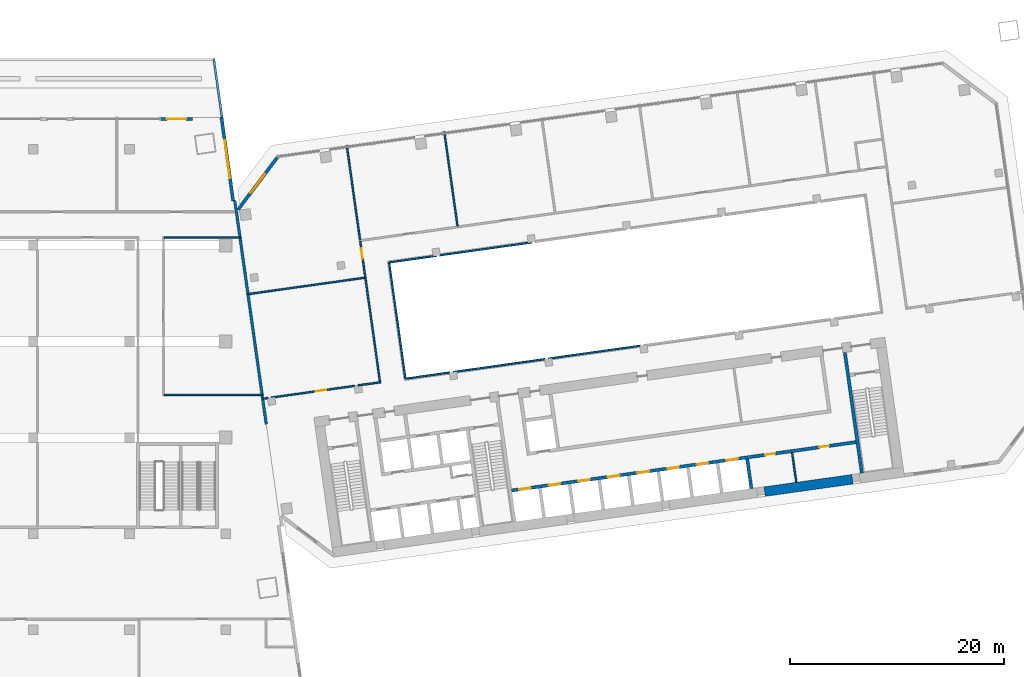
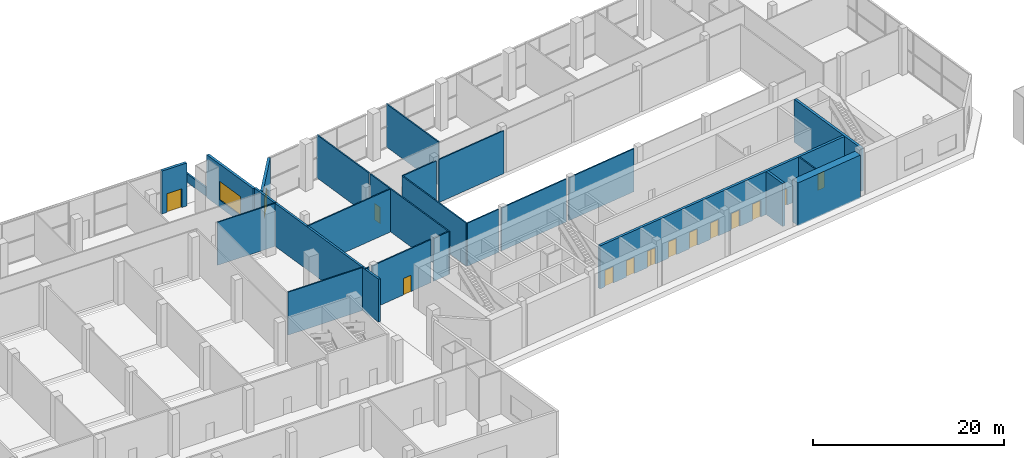
# One storey, part 17 of 24: 25 walls, 13 doors, 2 windows, 15 openings.
"""IFC4 building model written with IfcOpenShell, lengths in metres."""

from ifc_helpers import new_model, si_unit, direction, frame, frame_2d, origin, place, context, subcontext, project, spatial, rectangle, extrude, material, layer, layer_set, type_object, element, fill, save


model = new_model("IFC4")

# Units and contexts
model_context = context("Model", 3, precision=1e-05, world=origin(), true_north=direction((0.0, 1.0)))
body_context = subcontext(model_context, "Body", "Model", "MODEL_VIEW")
ifc_project = project(units=[si_unit("LENGTHUNIT", "METRE"), si_unit("AREAUNIT", "SQUARE_METRE"), si_unit("VOLUMEUNIT", "CUBIC_METRE"), si_unit("PLANEANGLEUNIT", "RADIAN"), si_unit("MASSUNIT", "GRAM", prefix="KILO")], contexts=[model_context])

# Site, building, storey
site_placement = place(None, origin())
site = spatial("IfcSite", under=ifc_project, at=site_placement, CompositionType="ELEMENT")
building_placement = place(site_placement, origin())
building = spatial("IfcBuilding", under=site, at=building_placement, Name="Mirante Cascada Hotel Towers", CompositionType="ELEMENT")
storey_placement = place(building_placement, frame((0.0, 0.0, 17.5)))
storey = spatial("IfcBuildingStorey", under=building, at=storey_placement, Name="L02", CompositionType="ELEMENT", Elevation=17.5)

# Walls
ifc_material_1 = material(Name="Masonry block", Category="masonry")
ifc_layer_1 = layer(ifc_material_1, 0.15)
ifc_layer_set_1 = layer_set([ifc_layer_1], Name="Core room partition 150 block EI 30")
wall_type_1 = type_object("IfcWallType", Name="Core room partition 150 block EI 30", PredefinedType="PARTITIONING", material=ifc_layer_set_1)
wall_1_placement = place(storey_placement, frame((80.448, -13.1879, 0.0), z_axis=(0.0, 0.0, 1.0), x_axis=(-0.139176, 0.9902677, 0.0)))
element("IfcWall", 1, at=wall_1_placement, inside=storey, type_object=wall_type_1, Name="Core wall partition T2 L02 4", PredefinedType="PARTITIONING", context=body_context, shape_type="SweptSolid", body=[
    extrude(rectangle(XDim=2.8001, YDim=0.15, at=frame_2d((1.4, 0.0))), origin(), (0.0, 0.0, 1.0), 5.5),
])
ifc_material_2 = material(Name="Masonry block", Category="masonry")
ifc_layer_2 = layer(ifc_material_2, 0.15)
ifc_layer_set_2 = layer_set([ifc_layer_2], Name="Corridor wall 150 block")
wall_type_2 = type_object("IfcWallType", Name="Corridor wall 150 block", PredefinedType="PARTITIONING", material=ifc_layer_set_2)
wall_2_placement = place(storey_placement, frame((21.275, -5.0, 0.0), z_axis=(0.0, 0.0, 1.0), x_axis=(1.0, 0.0, 0.0)))
element("IfcWall", 2, at=wall_2_placement, inside=storey, type_object=wall_type_2, Name="Corridor wall P L02", PredefinedType="PARTITIONING", context=body_context, shape_type="SweptSolid", body=[
    extrude(rectangle(XDim=9.1466, YDim=0.15, at=frame_2d((4.5733, 0.0))), origin(), (0.0, 0.0, 1.0), 5.5),
])
wall_3_placement = place(storey_placement, frame((21.265, 9.75, 0.0), z_axis=(0.0, 0.0, 1.0), x_axis=(1.0, 0.0, 0.0)))
element("IfcWall", 3, at=wall_3_placement, inside=storey, type_object=wall_type_2, Name="Corridor wall P L02", PredefinedType="PARTITIONING", context=body_context, shape_type="SweptSolid", body=[
    extrude(rectangle(XDim=7.0836, YDim=0.15, at=frame_2d((3.5418, 0.0))), origin(), (0.0, 0.0, 1.0), 5.5),
])

# Wall, opening, door
wall_4_placement = place(storey_placement, frame((39.6107, 9.3732, 0.0), z_axis=(0.0, 0.0, 1.0), x_axis=(0.1391716, -0.9902683, 0.0)))
wall_4 = element("IfcWall", 4, at=wall_4_placement, inside=storey, type_object=wall_type_2, Name="Corridor wall T2 L02", PredefinedType="PARTITIONING", context=body_context, shape_type="SweptSolid", body=[
    extrude(rectangle(XDim=13.4, YDim=0.15, at=frame_2d((6.7, 0.0))), origin(), (0.0, 0.0, 1.0), 5.5),
])
opening_1_placement = place(wall_4_placement, frame((0.6675, 0.0, 0.0)))
opening_1 = element("IfcOpeningElement", 5, at=opening_1_placement, cuts=wall_4, Name="Opening DP2-L02-02", PredefinedType="OPENING", context=body_context, shape_type="SweptSolid", body=[
    extrude(rectangle(XDim=1.0, YDim=2.1, at=frame_2d((0.5, 1.05))), frame((0.0, 0.075, 0.0), z_axis=(0.0, -1.0, 0.0), x_axis=(1.0, 0.0, 0.0)), (0.0, 0.0, 1.0), 0.15),
])
ifc_material_3 = material(Name="Timber door leaf", Category="wood")
door_type_1 = type_object("IfcDoorType", Name="Single door 1000x2100", OperationType="NOTDEFINED", PredefinedType="DOOR", material=ifc_material_3)
door_1_placement = place(opening_1_placement, frame((1.0, 0.0, 0.0), z_axis=(0.0, 0.0, 1.0), x_axis=(-1.0, 0.0, 0.0)))
door_1 = element("IfcDoor", 6, at=door_1_placement, inside=storey, type_object=door_type_1, Name="Door DP2-L02-02", OperationType="SINGLE_SWING_RIGHT", OverallHeight=2.1, OverallWidth=1.0, PredefinedType="DOOR", context=body_context, shape_type="SweptSolid", body=[
    extrude(rectangle(XDim=1.0, YDim=2.1, at=frame_2d((0.5, 1.05))), frame((0.0, 0.025, 0.0), z_axis=(0.0, -1.0, 0.0), x_axis=(1.0, 0.0, 0.0)), (0.0, 0.0, 1.0), 0.05),
])
fill(opening_1, door_1)

# Walls
wall_5_placement = place(storey_placement, frame((42.3151, 7.3752, 0.0), z_axis=(0.0, 0.0, 1.0), x_axis=(0.1391674, -0.9902689, 0.0)))
element("IfcWall", 7, at=wall_5_placement, inside=storey, type_object=wall_type_2, Name="Corridor wall T2 L02", PredefinedType="PARTITIONING", context=body_context, shape_type="SweptSolid", body=[
    extrude(rectangle(XDim=10.9401, YDim=0.15, at=frame_2d((5.47, 0.0))), origin(), (0.0, 0.0, 1.0), 5.5),
])
wall_6_placement = place(storey_placement, frame((30.4732, -5.3669, 0.0), z_axis=(0.0, 0.0, 1.0), x_axis=(0.9902657, 0.1391899, 0.0)))
element("IfcWall", 8, at=wall_6_placement, inside=storey, type_object=wall_type_2, Name="Corridor wall T2 L02", PredefinedType="PARTITIONING", context=body_context, shape_type="SweptSolid", body=[
    extrude(rectangle(XDim=0.4957, YDim=0.15, at=frame_2d((0.2478, 0.0))), origin(), (0.0, 0.0, 1.0), 5.5),
])
wall_7_placement = place(storey_placement, frame((43.8715, -3.4839, 0.0), z_axis=(0.0, 0.0, 1.0), x_axis=(0.9902667, 0.1391827, 0.0)))
element("IfcWall", 9, at=wall_7_placement, inside=storey, type_object=wall_type_2, Name="Corridor wall T2 L02", PredefinedType="PARTITIONING", context=body_context, shape_type="SweptSolid", body=[
    extrude(rectangle(XDim=4.1657, YDim=0.15, at=frame_2d((2.0828, 0.0))), origin(), (0.0, 0.0, 1.0), 5.5),
])
wall_8_placement = place(storey_placement, frame((42.3406, 7.409, 0.0), z_axis=(0.0, 0.0, 1.0), x_axis=(0.9902682, 0.1391725, 0.0)))
element("IfcWall", 10, at=wall_8_placement, inside=storey, type_object=wall_type_2, Name="Corridor wall T2 L02", PredefinedType="PARTITIONING", context=body_context, shape_type="SweptSolid", body=[
    extrude(rectangle(XDim=4.4456, YDim=0.15, at=frame_2d((2.2228, 0.0))), origin(), (0.0, 0.0, 1.0), 5.5),
])

# Wall, opening, door
wall_9_placement = place(storey_placement, frame((31.2896, -5.2522, 0.0), z_axis=(0.0, 0.0, 1.0), x_axis=(0.9902676, 0.1391764, 0.0)))
wall_9 = element("IfcWall", 11, at=wall_9_placement, inside=storey, type_object=wall_type_2, Name="Corridor wall T2 L02", PredefinedType="PARTITIONING", context=body_context, shape_type="SweptSolid", body=[
    extrude(rectangle(XDim=7.8713, YDim=0.15, at=frame_2d((3.9356, 0.0))), origin(), (0.0, 0.0, 1.0), 5.5),
])
opening_2_placement = place(wall_9_placement, frame((4.193, 0.0, 0.0)))
opening_2 = element("IfcOpeningElement", 12, at=opening_2_placement, cuts=wall_9, Name="Opening DP2-L02-01", PredefinedType="OPENING", context=body_context, shape_type="SweptSolid", body=[
    extrude(rectangle(XDim=1.0, YDim=2.1, at=frame_2d((0.5, 1.05))), frame((0.0, 0.075, 0.0), z_axis=(0.0, -1.0, 0.0), x_axis=(1.0, 0.0, 0.0)), (0.0, 0.0, 1.0), 0.15),
])
door_2_placement = place(opening_2_placement, origin())
door_2 = element("IfcDoor", 13, at=door_2_placement, inside=storey, type_object=door_type_1, Name="Door DP2-L02-01", OperationType="SINGLE_SWING_LEFT", OverallHeight=2.1, OverallWidth=1.0, PredefinedType="DOOR", context=body_context, shape_type="SweptSolid", body=[
    extrude(rectangle(XDim=1.0, YDim=2.1, at=frame_2d((0.5, 1.05))), frame((0.0, 0.025, 0.0), z_axis=(0.0, -1.0, 0.0), x_axis=(1.0, 0.0, 0.0)), (0.0, 0.0, 1.0), 0.05),
])
fill(opening_2, door_2)

# Walls
wall_10_placement = place(storey_placement, frame((39.4096, -4.1109, 0.0), z_axis=(0.0, 0.0, 1.0), x_axis=(0.9902711, 0.1391512, 0.0)))
element("IfcWall", 14, at=wall_10_placement, inside=storey, type_object=wall_type_2, Name="Corridor wall T2 L02", PredefinedType="PARTITIONING", context=body_context, shape_type="SweptSolid", body=[
    extrude(rectangle(XDim=2.0108, YDim=0.15, at=frame_2d((1.0054, 0.0))), origin(), (0.0, 0.0, 1.0), 5.5),
])
wall_11_placement = place(storey_placement, frame((48.3223, -2.8584, 0.0), z_axis=(0.0, 0.0, 1.0), x_axis=(0.990268, 0.1391735, 0.0)))
element("IfcWall", 15, at=wall_11_placement, inside=storey, type_object=wall_type_2, Name="Corridor wall T2 L02", PredefinedType="PARTITIONING", context=body_context, shape_type="SweptSolid", body=[
    extrude(rectangle(XDim=8.6712, YDim=0.15, at=frame_2d((4.3356, 0.0))), origin(), (0.0, 0.0, 1.0), 5.5),
])
for number, where, z_axis, x_axis, name in (
    (16, (57.2347, -1.6058, 0.0), (0.0, 0.0, 1.0), (0.9902682, 0.139172, 0.0), "Corridor wall T2 L02"),
    (17, (47.0684, 8.0735, 0.0), (0.0, 0.0, 1.0), (0.9902682, 0.139172, 0.0), "Corridor wall T2 L02"),
):
    element("IfcWall", number, at=place(storey_placement, frame(where, z_axis=z_axis, x_axis=x_axis)), inside=storey, type_object=wall_type_2, Name=name, PredefinedType="PARTITIONING", context=body_context, shape_type="SweptSolid", body=[
        extrude(rectangle(XDim=8.6713, YDim=0.15, at=frame_2d((4.3356, 0.0))), origin(), (0.0, 0.0, 1.0), 5.5),
    ])
ifc_material_4 = material(Name="Masonry block", Category="masonry")
ifc_layer_3 = layer(ifc_material_4, 0.15)
ifc_layer_set_3 = layer_set([ifc_layer_3], Name="Partition 150 block")
wall_type_3 = type_object("IfcWallType", Name="Partition 150 block", PredefinedType="PARTITIONING", material=ifc_layer_set_3)
wall_12_placement = place(storey_placement, frame((38.3477, 18.3599, 0.0), z_axis=(0.0, 0.0, 1.0), x_axis=(0.1391725, -0.9902682, 0.0)))
element("IfcWall", 18, at=wall_12_placement, inside=storey, type_object=wall_type_3, Name="Partition T2 L02", PredefinedType="PARTITIONING", context=body_context, shape_type="SweptSolid", body=[
    extrude(rectangle(XDim=8.935, YDim=0.15, at=frame_2d((4.4675, 0.0))), origin(), (0.0, 0.0, 1.0), 5.5),
])
wall_13_placement = place(storey_placement, frame((47.4802, 19.6434, 0.0), z_axis=(0.0, 0.0, 1.0), x_axis=(0.1391716, -0.9902683, 0.0)))
element("IfcWall", 19, at=wall_13_placement, inside=storey, type_object=wall_type_3, Name="Partition T2 L02", PredefinedType="PARTITIONING", context=body_context, shape_type="SweptSolid", body=[
    extrude(rectangle(XDim=8.925, YDim=0.15, at=frame_2d((4.4625, 0.0))), origin(), (0.0, 0.0, 1.0), 5.5),
])
wall_14_placement = place(storey_placement, frame((29.0954, 4.4367, 0.0), z_axis=(0.0, 0.0, 1.0), x_axis=(0.9902679, 0.1391746, 0.0)))
element("IfcWall", 20, at=wall_14_placement, inside=storey, type_object=wall_type_3, Name="Partition T2 L02", PredefinedType="PARTITIONING", context=body_context, shape_type="SweptSolid", body=[
    extrude(rectangle(XDim=11.025, YDim=0.15, at=frame_2d((5.5125, 0.0))), origin(), (0.0, 0.0, 1.0), 5.5),
])
ifc_material_5 = material(Name="Masonry block", Category="masonry")
ifc_layer_4 = layer(ifc_material_5, 0.25)
ifc_layer_set_4 = layer_set([ifc_layer_4], Name="Plant room wall 250 block EI 120")
wall_type_4 = type_object("IfcWallType", Name="Plant room wall 250 block EI 120", PredefinedType="PARTITIONING", material=ifc_layer_set_4)
wall_15_placement = place(storey_placement, frame((30.8072, -7.7436, 0.0), z_axis=(0.0, 0.0, 1.0), x_axis=(-0.1391722, 0.9902682, 0.0)))
element("IfcWall", 21, at=wall_15_placement, inside=storey, type_object=wall_type_4, Name="Compartment wall T2 L02", PredefinedType="PARTITIONING", context=body_context, shape_type="SweptSolid", body=[
    extrude(rectangle(XDim=21.1486, YDim=0.25, at=frame_2d((10.5743, 0.0))), origin(), (0.0, 0.0, 1.0), 5.5),
])

# Wall, opening, window
ifc_material_6 = material(Name="Precast concrete C40/50", Category="concrete")
ifc_layer_5 = layer(ifc_material_6, 0.3)
ifc_layer_set_5 = layer_set([ifc_layer_5], Name="Precast concrete C40/50 cladding wall 300")
wall_type_5 = type_object("IfcWallType", Name="Precast concrete C40/50 cladding wall 300", PredefinedType="STANDARD", material=ifc_layer_set_5)
wall_16_placement = place(storey_placement, frame((31.857, 17.252, 0.0), z_axis=(0.0, 0.0, 1.0), x_axis=(-0.6018141, -0.7986362, 0.0)))
wall_16 = element("IfcWall", 22, at=wall_16_placement, inside=storey, type_object=wall_type_5, Name="Corner cladding wall T2 L02 front inner", PredefinedType="STANDARD", context=body_context, shape_type="SweptSolid", body=[
    extrude(rectangle(XDim=6.1157, YDim=0.3, at=frame_2d((3.0578, 0.0))), origin(), (0.0, 0.0, 1.0), 5.5),
])
opening_3_placement = place(wall_16_placement, frame((1.9578, 0.0, 0.6)))
opening_3 = element("IfcOpeningElement", 23, at=opening_3_placement, cuts=wall_16, Name="Opening W2-02-04", PredefinedType="OPENING", context=body_context, shape_type="SweptSolid", body=[
    extrude(rectangle(XDim=2.2, YDim=2.4, at=frame_2d((1.1, 1.2))), frame((0.0, 0.15, 0.0), z_axis=(0.0, -1.0, 0.0), x_axis=(1.0, 0.0, 0.0)), (0.0, 0.0, 1.0), 0.3),
])
ifc_material_7 = material(Name="Aluminium frame with clear double glazing", Category="aluminium")
window_type_1 = type_object("IfcWindowType", Name="Corner suite window 2200x2400", PartitioningType="DOUBLE_PANEL_VERTICAL", PredefinedType="WINDOW", material=ifc_material_7)
window_1_placement = place(opening_3_placement, origin())
window_1 = element("IfcWindow", 24, at=window_1_placement, inside=storey, type_object=window_type_1, Name="Window W2-02-04", OverallHeight=2.4, OverallWidth=2.2, PartitioningType="SINGLE_PANEL", PredefinedType="WINDOW", context=body_context, shape_type="SweptSolid", body=[
    extrude(rectangle(XDim=2.2, YDim=2.4, at=frame_2d((1.1, 1.2))), frame((0.0, 0.03, 0.0), z_axis=(0.0, -1.0, 0.0), x_axis=(1.0, 0.0, 0.0)), (0.0, 0.0, 1.0), 0.06),
])
fill(opening_3, window_1)

wall_17_placement = place(storey_placement, frame((27.7154, 13.1783, 0.0), z_axis=(0.0, 0.0, 1.0), x_axis=(-0.1391692, 0.9902686, 0.0)))
wall_17 = element("IfcWall", 25, at=wall_17_placement, inside=storey, type_object=wall_type_5, Name="Podium cladding wall L02 P:L02:3", PredefinedType="STANDARD", context=body_context, shape_type="SweptSolid", body=[
    extrude(rectangle(XDim=7.8775, YDim=0.3, at=frame_2d((3.9388, 0.0))), origin(), (0.0, 0.0, 1.0), 5.5),
])
opening_4_placement = place(wall_17_placement, frame((2.1387, 0.0, 0.9)))
opening_4 = element("IfcOpeningElement", 26, at=opening_4_placement, cuts=wall_17, Name="Opening WP-02-07", PredefinedType="OPENING", context=body_context, shape_type="SweptSolid", body=[
    extrude(rectangle(XDim=3.6, YDim=2.4, at=frame_2d((1.8, 1.2))), frame((0.0, 0.15, 0.0), z_axis=(0.0, -1.0, 0.0), x_axis=(1.0, 0.0, 0.0)), (0.0, 0.0, 1.0), 0.3),
])
ifc_material_8 = material(Name="Aluminium frame with clear double glazing", Category="aluminium")
window_type_2 = type_object("IfcWindowType", Name="Podium punched window 3600x2400", PartitioningType="DOUBLE_PANEL_VERTICAL", PredefinedType="WINDOW", material=ifc_material_8)
window_2_placement = place(opening_4_placement, origin())
window_2 = element("IfcWindow", 27, at=window_2_placement, inside=storey, type_object=window_type_2, Name="Window WP-02-07", OverallHeight=2.4, OverallWidth=3.6, PartitioningType="SINGLE_PANEL", PredefinedType="WINDOW", context=body_context, shape_type="SweptSolid", body=[
    extrude(rectangle(XDim=3.6, YDim=2.4, at=frame_2d((1.8, 1.2))), frame((0.0, 0.03, 0.0), z_axis=(0.0, -1.0, 0.0), x_axis=(1.0, 0.0, 0.0)), (0.0, 0.0, 1.0), 0.06),
])
fill(opening_4, window_2)

# Wall, opening, door
wall_18_placement = place(storey_placement, frame((23.909, 20.85, 0.0), z_axis=(0.0, 0.0, 1.0), x_axis=(-1.0, 0.0, 0.0)))
wall_18 = element("IfcWall", 28, at=wall_18_placement, inside=storey, type_object=wall_type_5, Name="Entrance pier wall L02 P:L02:4:1", PredefinedType="STANDARD", context=body_context, shape_type="SweptSolid", body=[
    extrude(rectangle(XDim=3.0, YDim=0.3, at=frame_2d((1.5, 0.0))), origin(), (0.0, 0.0, 1.0), 5.5),
])
opening_5_placement = place(wall_18_placement, frame((0.6, 0.0, 0.0)))
opening_5 = element("IfcOpeningElement", 29, at=opening_5_placement, cuts=wall_18, Name="Opening DP-02-91", PredefinedType="OPENING", context=body_context, shape_type="SweptSolid", body=[
    extrude(rectangle(XDim=1.8, YDim=2.4, at=frame_2d((0.9, 1.2))), frame((0.0, 0.15, 0.0), z_axis=(0.0, -1.0, 0.0), x_axis=(1.0, 0.0, 0.0)), (0.0, 0.0, 1.0), 0.3),
])
ifc_material_9 = material(Name="Aluminium frame with clear laminated glazing", Category="aluminium")
door_type_2 = type_object("IfcDoorType", Name="Terrace double door 1800x2400", OperationType="DOUBLE_DOOR_SINGLE_SWING", PredefinedType="DOOR", material=ifc_material_9)
door_3_placement = place(opening_5_placement, origin())
door_3 = element("IfcDoor", 30, at=door_3_placement, inside=storey, type_object=door_type_2, Name="Office door DP-02-91", OperationType="DOUBLE_DOOR_SINGLE_SWING", OverallHeight=2.4, OverallWidth=1.8, PredefinedType="DOOR", context=body_context, shape_type="SweptSolid", body=[
    extrude(rectangle(XDim=0.895, YDim=2.4, at=frame_2d((0.4475, 1.2))), frame((0.0, 0.025, 0.0), z_axis=(0.0, -1.0, 0.0), x_axis=(1.0, 0.0, 0.0)), (0.0, 0.0, 1.0), 0.05),
    extrude(rectangle(XDim=0.895, YDim=2.4, at=frame_2d((1.3525, 1.2))), frame((0.0, 0.025, 0.0), z_axis=(0.0, -1.0, 0.0), x_axis=(1.0, 0.0, 0.0)), (0.0, 0.0, 1.0), 0.05),
])
fill(opening_5, door_3)

# Wall
ifc_material_10 = material(Name="Concrete C50/60", Category="concrete")
ifc_layer_6 = layer(ifc_material_10, 0.3)
ifc_layer_set_6 = layer_set([ifc_layer_6], Name="RC core wall 300 C50/60")
wall_type_6 = type_object("IfcWallType", Name="RC core wall 300 C50/60", PredefinedType="SHEAR", material=ifc_layer_set_6)
wall_19_placement = place(storey_placement, frame((86.5877, -12.325, 0.0), z_axis=(0.0, 0.0, 1.0), x_axis=(-0.1391749, 0.9902678, 0.0)))
element("IfcWall", 31, at=wall_19_placement, inside=storey, type_object=wall_type_6, Name="Core wall T2:L02:8", PredefinedType="SHEAR", context=body_context, shape_type="SweptSolid", body=[
    extrude(rectangle(XDim=11.4, YDim=0.3, at=frame_2d((5.7, 0.0))), origin(), (0.0, 0.0, 1.0), 5.5),
])

# Wall, openings, doors
wall_20_placement = place(storey_placement, frame((53.7953, -13.9547, 0.0), z_axis=(0.0, 0.0, 1.0), x_axis=(0.990268, 0.1391733, 0.0)))
wall_20 = element("IfcWall", 32, at=wall_20_placement, inside=storey, type_object=wall_type_6, Name="Core wall T2:L02:24", PredefinedType="SHEAR", context=body_context, shape_type="SweptSolid", body=[
    extrude(rectangle(XDim=32.5501, YDim=0.3, at=frame_2d((16.275, 0.0))), origin(), (0.0, 0.0, 1.0), 5.5),
])
opening_6_placement = place(wall_20_placement, frame((0.7, 0.0, 0.0)))
opening_6 = element("IfcOpeningElement", 33, at=opening_6_placement, cuts=wall_20, Name="Opening LD", PredefinedType="OPENING", context=body_context, shape_type="SweptSolid", body=[
    extrude(rectangle(XDim=1.1, YDim=2.1, at=frame_2d((0.55, 1.05))), frame((0.0, 0.15, 0.0), z_axis=(0.0, -1.0, 0.0), x_axis=(1.0, 0.0, 0.0)), (0.0, 0.0, 1.0), 0.3),
])
opening_7_placement = place(wall_20_placement, frame((3.5, 0.0, 0.0)))
opening_7 = element("IfcOpeningElement", 34, at=opening_7_placement, cuts=wall_20, Name="Opening LD", PredefinedType="OPENING", context=body_context, shape_type="SweptSolid", body=[
    extrude(rectangle(XDim=1.1, YDim=2.1, at=frame_2d((0.55, 1.05))), frame((0.0, 0.15, 0.0), z_axis=(0.0, -1.0, 0.0), x_axis=(1.0, 0.0, 0.0)), (0.0, 0.0, 1.0), 0.3),
])
opening_8_placement = place(wall_20_placement, frame((6.3, 0.0, 0.0)))
opening_8 = element("IfcOpeningElement", 35, at=opening_8_placement, cuts=wall_20, Name="Opening LD", PredefinedType="OPENING", context=body_context, shape_type="SweptSolid", body=[
    extrude(rectangle(XDim=1.1, YDim=2.1, at=frame_2d((0.55, 1.05))), frame((0.0, 0.15, 0.0), z_axis=(0.0, -1.0, 0.0), x_axis=(1.0, 0.0, 0.0)), (0.0, 0.0, 1.0), 0.3),
])
opening_9_placement = place(wall_20_placement, frame((9.1, 0.0, 0.0)))
opening_9 = element("IfcOpeningElement", 36, at=opening_9_placement, cuts=wall_20, Name="Opening LD", PredefinedType="OPENING", context=body_context, shape_type="SweptSolid", body=[
    extrude(rectangle(XDim=1.1, YDim=2.1, at=frame_2d((0.55, 1.05))), frame((0.0, 0.15, 0.0), z_axis=(0.0, -1.0, 0.0), x_axis=(1.0, 0.0, 0.0)), (0.0, 0.0, 1.0), 0.3),
])
opening_10_placement = place(wall_20_placement, frame((11.9, 0.0, 0.0)))
opening_10 = element("IfcOpeningElement", 37, at=opening_10_placement, cuts=wall_20, Name="Opening LD", PredefinedType="OPENING", context=body_context, shape_type="SweptSolid", body=[
    extrude(rectangle(XDim=1.1, YDim=2.1, at=frame_2d((0.55, 1.05))), frame((0.0, 0.15, 0.0), z_axis=(0.0, -1.0, 0.0), x_axis=(1.0, 0.0, 0.0)), (0.0, 0.0, 1.0), 0.3),
])
opening_11_placement = place(wall_20_placement, frame((14.7, 0.0, 0.0)))
opening_11 = element("IfcOpeningElement", 38, at=opening_11_placement, cuts=wall_20, Name="Opening LD", PredefinedType="OPENING", context=body_context, shape_type="SweptSolid", body=[
    extrude(rectangle(XDim=1.1, YDim=2.1, at=frame_2d((0.55, 1.05))), frame((0.0, 0.15, 0.0), z_axis=(0.0, -1.0, 0.0), x_axis=(1.0, 0.0, 0.0)), (0.0, 0.0, 1.0), 0.3),
])
opening_12_placement = place(wall_20_placement, frame((17.5, 0.0, 0.0)))
opening_12 = element("IfcOpeningElement", 39, at=opening_12_placement, cuts=wall_20, Name="Opening LD", PredefinedType="OPENING", context=body_context, shape_type="SweptSolid", body=[
    extrude(rectangle(XDim=1.1, YDim=2.1, at=frame_2d((0.55, 1.05))), frame((0.0, 0.15, 0.0), z_axis=(0.0, -1.0, 0.0), x_axis=(1.0, 0.0, 0.0)), (0.0, 0.0, 1.0), 0.3),
])
opening_13_placement = place(wall_20_placement, frame((20.3, 0.0, 0.0)))
opening_13 = element("IfcOpeningElement", 40, at=opening_13_placement, cuts=wall_20, Name="Opening LD", PredefinedType="OPENING", context=body_context, shape_type="SweptSolid", body=[
    extrude(rectangle(XDim=1.1, YDim=2.1, at=frame_2d((0.55, 1.05))), frame((0.0, 0.15, 0.0), z_axis=(0.0, -1.0, 0.0), x_axis=(1.0, 0.0, 0.0)), (0.0, 0.0, 1.0), 0.3),
])
opening_14_placement = place(wall_20_placement, frame((24.0, 0.0, 0.0)))
opening_14 = element("IfcOpeningElement", 41, at=opening_14_placement, cuts=wall_20, Name="Opening D2-02-C28", PredefinedType="OPENING", context=body_context, shape_type="SweptSolid", body=[
    extrude(rectangle(XDim=0.9, YDim=2.1, at=frame_2d((0.45, 1.05))), frame((0.0, 0.15, 0.0), z_axis=(0.0, -1.0, 0.0), x_axis=(1.0, 0.0, 0.0)), (0.0, 0.0, 1.0), 0.3),
])
opening_15_placement = place(wall_20_placement, frame((29.075, 0.0, 0.0)))
opening_15 = element("IfcOpeningElement", 42, at=opening_15_placement, cuts=wall_20, Name="Opening D2-02-C29", PredefinedType="OPENING", context=body_context, shape_type="SweptSolid", body=[
    extrude(rectangle(XDim=0.9, YDim=2.1, at=frame_2d((0.45, 1.05))), frame((0.0, 0.15, 0.0), z_axis=(0.0, -1.0, 0.0), x_axis=(1.0, 0.0, 0.0)), (0.0, 0.0, 1.0), 0.3),
])
ifc_material_11 = material(Name="Hollow metal fire door leaf")
door_type_3 = type_object("IfcDoorType", Name="Fire door 900x2100 FD60", OperationType="NOTDEFINED", PredefinedType="DOOR", material=ifc_material_11)
door_4_placement = place(opening_14_placement, frame((0.9, 0.0, 0.0), z_axis=(0.0, 0.0, 1.0), x_axis=(-1.0, 0.0, 0.0)))
door_4 = element("IfcDoor", 43, at=door_4_placement, inside=storey, type_object=door_type_3, Name="Room door T2 L02 28", OperationType="SINGLE_SWING_RIGHT", OverallHeight=2.1, OverallWidth=0.9, PredefinedType="DOOR", context=body_context, shape_type="SweptSolid", body=[
    extrude(rectangle(XDim=0.9, YDim=2.1, at=frame_2d((0.45, 1.05))), frame((0.0, 0.025, 0.0), z_axis=(0.0, -1.0, 0.0), x_axis=(1.0, 0.0, 0.0)), (0.0, 0.0, 1.0), 0.05),
])
fill(opening_14, door_4)
door_5_placement = place(opening_15_placement, frame((0.9, 0.0, 0.0), z_axis=(0.0, 0.0, 1.0), x_axis=(-1.0, 0.0, 0.0)))
door_5 = element("IfcDoor", 44, at=door_5_placement, inside=storey, type_object=door_type_3, Name="Room door T2 L02 29", OperationType="SINGLE_SWING_RIGHT", OverallHeight=2.1, OverallWidth=0.9, PredefinedType="DOOR", context=body_context, shape_type="SweptSolid", body=[
    extrude(rectangle(XDim=0.9, YDim=2.1, at=frame_2d((0.45, 1.05))), frame((0.0, 0.025, 0.0), z_axis=(0.0, -1.0, 0.0), x_axis=(1.0, 0.0, 0.0)), (0.0, 0.0, 1.0), 0.05),
])
fill(opening_15, door_5)
ifc_material_12 = material(Name="Stainless steel", Category="steel")
door_type_4 = type_object("IfcDoorType", Name="Lift landing door 1100x2100 EI 120", OperationType="DOUBLE_DOOR_SLIDING", PredefinedType="DOOR", material=ifc_material_12)
door_6_placement = place(opening_6_placement, origin())
door_6 = element("IfcDoor", 45, at=door_6_placement, inside=storey, type_object=door_type_4, Name="Lift landing door LR2-1 L02", OperationType="DOUBLE_DOOR_SLIDING", OverallHeight=2.1, OverallWidth=1.1, PredefinedType="DOOR", context=body_context, shape_type="SweptSolid", body=[
    extrude(rectangle(XDim=0.545, YDim=2.1, at=frame_2d((0.2725, 1.05))), frame((0.0, 0.025, 0.0), z_axis=(0.0, -1.0, 0.0), x_axis=(1.0, 0.0, 0.0)), (0.0, 0.0, 1.0), 0.05),
    extrude(rectangle(XDim=0.545, YDim=2.1, at=frame_2d((0.8275, 1.05))), frame((0.0, 0.025, 0.0), z_axis=(0.0, -1.0, 0.0), x_axis=(1.0, 0.0, 0.0)), (0.0, 0.0, 1.0), 0.05),
])
fill(opening_6, door_6)
door_7_placement = place(opening_7_placement, origin())
door_7 = element("IfcDoor", 46, at=door_7_placement, inside=storey, type_object=door_type_4, Name="Lift landing door LR2-2 L02", OperationType="DOUBLE_DOOR_SLIDING", OverallHeight=2.1, OverallWidth=1.1, PredefinedType="DOOR", context=body_context, shape_type="SweptSolid", body=[
    extrude(rectangle(XDim=0.545, YDim=2.1, at=frame_2d((0.2725, 1.05))), frame((0.0, 0.025, 0.0), z_axis=(0.0, -1.0, 0.0), x_axis=(1.0, 0.0, 0.0)), (0.0, 0.0, 1.0), 0.05),
    extrude(rectangle(XDim=0.545, YDim=2.1, at=frame_2d((0.8275, 1.05))), frame((0.0, 0.025, 0.0), z_axis=(0.0, -1.0, 0.0), x_axis=(1.0, 0.0, 0.0)), (0.0, 0.0, 1.0), 0.05),
])
fill(opening_7, door_7)
door_8_placement = place(opening_8_placement, origin())
door_8 = element("IfcDoor", 47, at=door_8_placement, inside=storey, type_object=door_type_4, Name="Lift landing door SV2-1 L02", OperationType="DOUBLE_DOOR_SLIDING", OverallHeight=2.1, OverallWidth=1.1, PredefinedType="DOOR", context=body_context, shape_type="SweptSolid", body=[
    extrude(rectangle(XDim=0.545, YDim=2.1, at=frame_2d((0.2725, 1.05))), frame((0.0, 0.025, 0.0), z_axis=(0.0, -1.0, 0.0), x_axis=(1.0, 0.0, 0.0)), (0.0, 0.0, 1.0), 0.05),
    extrude(rectangle(XDim=0.545, YDim=2.1, at=frame_2d((0.8275, 1.05))), frame((0.0, 0.025, 0.0), z_axis=(0.0, -1.0, 0.0), x_axis=(1.0, 0.0, 0.0)), (0.0, 0.0, 1.0), 0.05),
])
fill(opening_8, door_8)
door_9_placement = place(opening_9_placement, origin())
door_9 = element("IfcDoor", 48, at=door_9_placement, inside=storey, type_object=door_type_4, Name="Lift landing door SV2-2 L02", OperationType="DOUBLE_DOOR_SLIDING", OverallHeight=2.1, OverallWidth=1.1, PredefinedType="DOOR", context=body_context, shape_type="SweptSolid", body=[
    extrude(rectangle(XDim=0.545, YDim=2.1, at=frame_2d((0.2725, 1.05))), frame((0.0, 0.025, 0.0), z_axis=(0.0, -1.0, 0.0), x_axis=(1.0, 0.0, 0.0)), (0.0, 0.0, 1.0), 0.05),
    extrude(rectangle(XDim=0.545, YDim=2.1, at=frame_2d((0.8275, 1.05))), frame((0.0, 0.025, 0.0), z_axis=(0.0, -1.0, 0.0), x_axis=(1.0, 0.0, 0.0)), (0.0, 0.0, 1.0), 0.05),
])
fill(opening_9, door_9)
door_10_placement = place(opening_10_placement, origin())
door_10 = element("IfcDoor", 49, at=door_10_placement, inside=storey, type_object=door_type_4, Name="Lift landing door SV2-3 L02", OperationType="DOUBLE_DOOR_SLIDING", OverallHeight=2.1, OverallWidth=1.1, PredefinedType="DOOR", context=body_context, shape_type="SweptSolid", body=[
    extrude(rectangle(XDim=0.545, YDim=2.1, at=frame_2d((0.2725, 1.05))), frame((0.0, 0.025, 0.0), z_axis=(0.0, -1.0, 0.0), x_axis=(1.0, 0.0, 0.0)), (0.0, 0.0, 1.0), 0.05),
    extrude(rectangle(XDim=0.545, YDim=2.1, at=frame_2d((0.8275, 1.05))), frame((0.0, 0.025, 0.0), z_axis=(0.0, -1.0, 0.0), x_axis=(1.0, 0.0, 0.0)), (0.0, 0.0, 1.0), 0.05),
])
fill(opening_10, door_10)
door_11_placement = place(opening_11_placement, origin())
door_11 = element("IfcDoor", 50, at=door_11_placement, inside=storey, type_object=door_type_4, Name="Lift landing door SV2-4 L02", OperationType="DOUBLE_DOOR_SLIDING", OverallHeight=2.1, OverallWidth=1.1, PredefinedType="DOOR", context=body_context, shape_type="SweptSolid", body=[
    extrude(rectangle(XDim=0.545, YDim=2.1, at=frame_2d((0.2725, 1.05))), frame((0.0, 0.025, 0.0), z_axis=(0.0, -1.0, 0.0), x_axis=(1.0, 0.0, 0.0)), (0.0, 0.0, 1.0), 0.05),
    extrude(rectangle(XDim=0.545, YDim=2.1, at=frame_2d((0.8275, 1.05))), frame((0.0, 0.025, 0.0), z_axis=(0.0, -1.0, 0.0), x_axis=(1.0, 0.0, 0.0)), (0.0, 0.0, 1.0), 0.05),
])
fill(opening_11, door_11)
door_12_placement = place(opening_12_placement, origin())
door_12 = element("IfcDoor", 51, at=door_12_placement, inside=storey, type_object=door_type_4, Name="Lift landing door PS2-1 L02", OperationType="DOUBLE_DOOR_SLIDING", OverallHeight=2.1, OverallWidth=1.1, PredefinedType="DOOR", context=body_context, shape_type="SweptSolid", body=[
    extrude(rectangle(XDim=0.545, YDim=2.1, at=frame_2d((0.2725, 1.05))), frame((0.0, 0.025, 0.0), z_axis=(0.0, -1.0, 0.0), x_axis=(1.0, 0.0, 0.0)), (0.0, 0.0, 1.0), 0.05),
    extrude(rectangle(XDim=0.545, YDim=2.1, at=frame_2d((0.8275, 1.05))), frame((0.0, 0.025, 0.0), z_axis=(0.0, -1.0, 0.0), x_axis=(1.0, 0.0, 0.0)), (0.0, 0.0, 1.0), 0.05),
])
fill(opening_12, door_12)
door_13_placement = place(opening_13_placement, origin())
door_13 = element("IfcDoor", 52, at=door_13_placement, inside=storey, type_object=door_type_4, Name="Lift landing door PS2-2 L02", OperationType="DOUBLE_DOOR_SLIDING", OverallHeight=2.1, OverallWidth=1.1, PredefinedType="DOOR", context=body_context, shape_type="SweptSolid", body=[
    extrude(rectangle(XDim=0.545, YDim=2.1, at=frame_2d((0.2725, 1.05))), frame((0.0, 0.025, 0.0), z_axis=(0.0, -1.0, 0.0), x_axis=(1.0, 0.0, 0.0)), (0.0, 0.0, 1.0), 0.05),
    extrude(rectangle(XDim=0.545, YDim=2.1, at=frame_2d((0.8275, 1.05))), frame((0.0, 0.025, 0.0), z_axis=(0.0, -1.0, 0.0), x_axis=(1.0, 0.0, 0.0)), (0.0, 0.0, 1.0), 0.05),
])
fill(opening_13, door_13)

# Walls
wall_21_placement = place(storey_placement, frame((76.2394, -13.7794, 0.0), z_axis=(0.0, 0.0, 1.0), x_axis=(-0.139176, 0.9902677, 0.0)))
element("IfcWall", 53, at=wall_21_placement, inside=storey, type_object=wall_type_6, Name="Core wall T2:L02:32", PredefinedType="SHEAR", context=body_context, shape_type="SweptSolid", body=[
    extrude(rectangle(XDim=2.8001, YDim=0.3, at=frame_2d((1.4, 0.0))), origin(), (0.0, 0.0, 1.0), 5.5),
])
ifc_material_13 = material(Name="Concrete C50/60", Category="concrete")
ifc_layer_7 = layer(ifc_material_13, 0.9)
ifc_layer_set_7 = layer_set([ifc_layer_7], Name="RC core wall 900 C50/60")
wall_type_7 = type_object("IfcWallType", Name="RC core wall 900 C50/60", PredefinedType="SHEAR", material=ifc_layer_set_7)
wall_22_placement = place(storey_placement, frame((77.4903, -14.058, 0.0), z_axis=(0.0, 0.0, 1.0), x_axis=(0.990267, 0.139181, 0.0)))
element("IfcWall", 54, at=wall_22_placement, inside=storey, type_object=wall_type_7, Name="Core wall T2:L02:1.6", PredefinedType="SHEAR", context=body_context, shape_type="SweptSolid", body=[
    extrude(rectangle(XDim=8.3, YDim=0.9, at=frame_2d((4.15, 0.0))), origin(), (0.0, 0.0, 1.0), 5.5),
])
ifc_material_14 = material(Name="Precast concrete C40/50", Category="concrete")
ifc_layer_8 = layer(ifc_material_14, 0.2)
ifc_layer_set_8 = layer_set([ifc_layer_8], Name="Terrace parapet wall 200 concrete C40/50")
wall_type_8 = type_object("IfcWallType", Name="Terrace parapet wall 200 concrete C40/50", PredefinedType="PARAPET", material=ifc_layer_set_8)
wall_23_placement = place(storey_placement, frame((26.6685, 20.9861, 0.0), z_axis=(0.0, 0.0, 1.0), x_axis=(-0.1391599, 0.9902699, 0.0)))
element("IfcWall", 55, at=wall_23_placement, inside=storey, type_object=wall_type_8, Name="Terrace parapet podium L01 1.2.1", PredefinedType="PARAPET", context=body_context, shape_type="SweptSolid", body=[
    extrude(rectangle(XDim=5.554, YDim=0.2, at=frame_2d((2.777, 0.0))), origin(), (0.0, 0.0, 1.0), 1.1),
])

save(model, "model.ifc")
